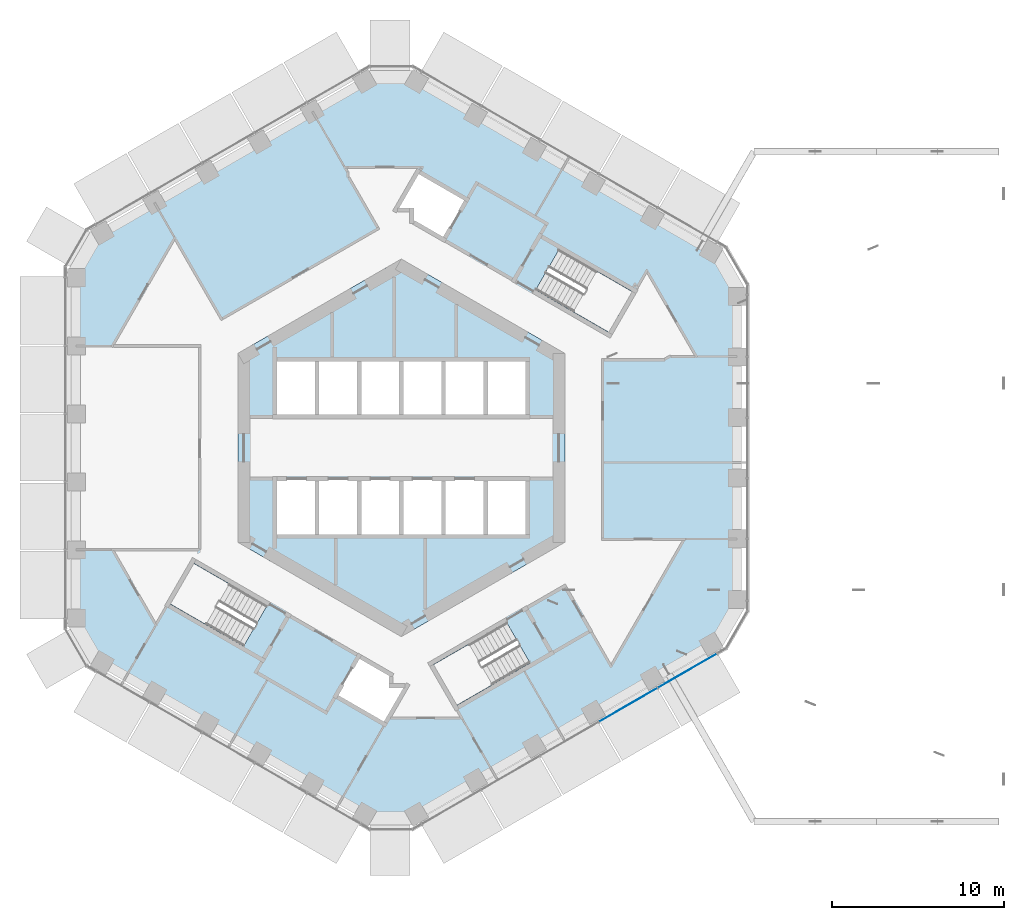
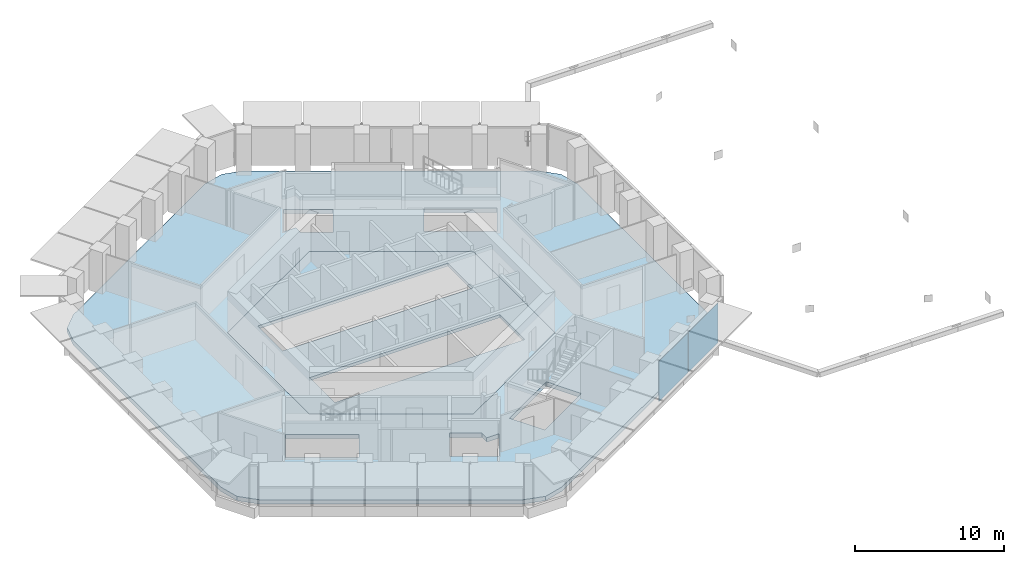
# One storey, part 10 of 21: 2 plates, 2 slabs, 1 element without a shape of its own.
"""IFC4 building model written with IfcOpenShell, lengths in metres."""

from ifc_helpers import new_model, si_unit, direction, frame, origin, origin_2d, place, context, subcontext, project, spatial, polyline, rectangle, outline, extrude, material, layer, layer_set, type_object, element, aggregate, save


model = new_model("IFC4")

# Units and contexts
model_context = context("Model", 3, precision=1e-05, world=origin(), true_north=direction((0.0, 1.0)))
body_context = subcontext(model_context, "Body", "Model", "MODEL_VIEW")
ifc_project = project(units=[si_unit("LENGTHUNIT", "METRE"), si_unit("AREAUNIT", "SQUARE_METRE"), si_unit("VOLUMEUNIT", "CUBIC_METRE"), si_unit("PLANEANGLEUNIT", "RADIAN"), si_unit("MASSUNIT", "GRAM", prefix="KILO")], contexts=[model_context])

# Site, building, storey
site_placement = place(None, origin())
site = spatial("IfcSite", under=ifc_project, at=site_placement, CompositionType="ELEMENT")
building_placement = place(site_placement, origin())
building = spatial("IfcBuilding", under=site, at=building_placement, Name="Ayvan Gate Tower", CompositionType="ELEMENT")
storey_placement = place(building_placement, frame((0.0, 0.0, 117.10009765625)))
storey = spatial("IfcBuildingStorey", under=building, at=storey_placement, Name="L31", CompositionType="ELEMENT", Elevation=117.10009765625)

# Slabs
ifc_material_1 = material(Name="Concrete C40/50", Category="concrete")
ifc_layer_1 = layer(ifc_material_1, 0.35009765625)
ifc_layer_set_1 = layer_set([ifc_layer_1], Name="Concrete C40/50")
slab_type_1 = type_object("IfcSlabType", Name="Post-tensioned flat slab 350", PredefinedType="FLOOR", material=ifc_layer_set_1)
slab_1_placement = place(storey_placement, frame((0.0, 0.0, -0.35009765625)))
element("IfcSlab", 1, at=slab_1_placement, inside=storey, type_object=slab_type_1, Name="SL-L31", PredefinedType="FLOOR", context=body_context, shape_type="SweptSolid", body=[
    extrude(outline(polyline([(0.906494140625, -21.291259765625), (-0.593505859375, -21.693359375), (-2.093505859375, -21.291259765625), (-17.39208984375, -12.458740234375), (-18.490234375, -11.360595703125), (-18.89208984375, -9.860595703125), (-18.89208984375, 9.860595703125), (-18.490234375, 11.360595703125), (-17.39208984375, 12.458740234375), (-2.093505859375, 21.291259765625), (-0.593505859375, 21.693359375), (0.906494140625, 21.291259765625), (17.985595703125, 11.4306640625), (19.083740234375, 10.332763671875), (19.485595703125, 8.832763671875), (19.485595703125, -8.832763671875), (19.083740234375, -10.332763671875), (17.985595703125, -11.4306640625), (0.906494140625, -21.291259765625)]), holes=[polyline([(12.049560546875, 6.720458984375), (13.404541015625, 9.0673828125), (9.1611328125, 11.517578125), (7.80615234375, 9.170654296875), (12.049560546875, 6.720458984375)]), polyline([(9.5, 5.48486328125), (0.0, 10.9697265625), (-9.5, 5.48486328125), (-9.5, -5.48486328125), (0.0, -10.9697265625), (9.5, -5.48486328125), (9.5, 5.48486328125)]), polyline([(1.873779296875, -12.595458984375), (3.228759765625, -14.9423828125), (7.472412109375, -12.492431640625), (6.117431640625, -10.1455078125), (1.873779296875, -12.595458984375)]), polyline([(0.60009765625, 13.16357421875), (2.472412109375, 12.08251953125), (3.822509765625, 14.420654296875), (0.964599609375, 16.07080078125), (-0.340576171875, 13.81005859375), (0.60009765625, 13.81005859375), (0.60009765625, 13.16357421875)]), polyline([(-0.74658203125, -15.693359375), (0.340576171875, -13.81005859375), (-0.60009765625, -13.81005859375), (-0.60009765625, -13.16357421875), (-2.472412109375, -12.08251953125), (-3.822509765625, -14.420654296875), (-0.964599609375, -16.07080078125), (-0.74658203125, -15.693359375)]), polyline([(-9.1611328125, -11.517578125), (-7.80615234375, -9.170654296875), (-12.049560546875, -6.720458984375), (-13.404541015625, -9.0673828125), (-9.1611328125, -11.517578125)])]), origin(), (0.0, 0.0, 1.0), 0.35009765625),
])
ifc_layer_2 = layer(ifc_material_1, 0.25)
ifc_layer_set_2 = layer_set([ifc_layer_2], Name="Concrete C40/50")
slab_type_2 = type_object("IfcSlabType", Name="SL-CORE-250", PredefinedType="FLOOR", material=ifc_layer_set_2)
slab_2_placement = place(storey_placement, frame((0.0, 0.0, -0.25)))
element("IfcSlab", 2, at=slab_2_placement, inside=storey, type_object=slab_type_2, Name="CS-L31", PredefinedType="FLOOR", context=body_context, shape_type="SweptSolid", body=[
    extrude(outline(polyline([(9.5, -5.48486328125), (0.0, -10.9697265625), (-9.5, -5.48486328125), (-9.5, 5.48486328125), (0.0, 10.9697265625), (9.5, 5.48486328125), (9.5, -5.48486328125)]), holes=[polyline([(-7.35009765625, -1.800048828125), (-7.35009765625, -5.14990234375), (7.35009765625, -5.14990234375), (7.35009765625, -1.800048828125), (-7.35009765625, -1.800048828125)]), polyline([(-7.35009765625, 5.14990234375), (-7.35009765625, 1.800048828125), (7.35009765625, 1.800048828125), (7.35009765625, 5.14990234375), (-7.35009765625, 5.14990234375)])]), origin(), (0.0, 0.0, 1.0), 0.25),
])

# Curtain wall, plates
ifc_material_2 = material(Name="Bronze anodised aluminium", Category="aluminium")
ifc_layer_3 = layer(ifc_material_2, 0.199951171875)
ifc_layer_set_3 = layer_set([ifc_layer_3], Name="Bronze anodised aluminium")
curtain_wall_type = type_object("IfcCurtainWallType", Name="Stick curtain wall CW-1", PredefinedType="NOTDEFINED", material=ifc_layer_set_3)
curtain_wall_placement = place(storey_placement, origin())
curtain_wall = element("IfcCurtainWall", 3, at=curtain_wall_placement, inside=storey, type_object=curtain_wall_type, Name="Stick curtain wall CW-1 L31", PredefinedType="NOTDEFINED")
ifc_material_3 = material(Name="Clear low-iron laminated glass", Category="glass")
ifc_layer_4 = layer(ifc_material_3, 0.028076171875)
ifc_layer_set_4 = layer_set([ifc_layer_4], Name="Clear low-iron laminated glass")
plate_type = type_object("IfcPlateType", Name="Stick curtain wall CW-1 glass panel", PredefinedType="CURTAIN_PANEL", material=ifc_layer_set_4)
plate_1_placement = place(storey_placement, frame((13.180419921875, -14.9267578125, 0.0), z_axis=(0.0, 0.0, 1.0), x_axis=(0.866025403784, 0.5, 0.0)))
plate_1 = element("IfcPlate", 4, at=plate_1_placement, type_object=plate_type, Name="CW-1 glass panel 4", PredefinedType="CURTAIN_PANEL", context=body_context, shape_type="SweptSolid", body=[
    extrude(rectangle(XDim=3.89208984375, YDim=0.028076171875, at=origin_2d()), origin(), (0.0, 0.0, 1.0), 3.280029296875),
])
plate_2_placement = place(storey_placement, frame((16.63037109375, -12.934814453125, 0.0), z_axis=(0.0, 0.0, 1.0), x_axis=(0.866025403784, 0.5, 0.0)))
plate_2 = element("IfcPlate", 5, at=plate_2_placement, type_object=plate_type, Name="CW-1 glass panel 5", PredefinedType="CURTAIN_PANEL", context=body_context, shape_type="SweptSolid", body=[
    extrude(rectangle(XDim=3.955810546875, YDim=0.028076171875, at=origin_2d()), origin(), (0.0, 0.0, 1.0), 3.280029296875),
])
aggregate(curtain_wall, [plate_1, plate_2])

save(model, "model.ifc")
